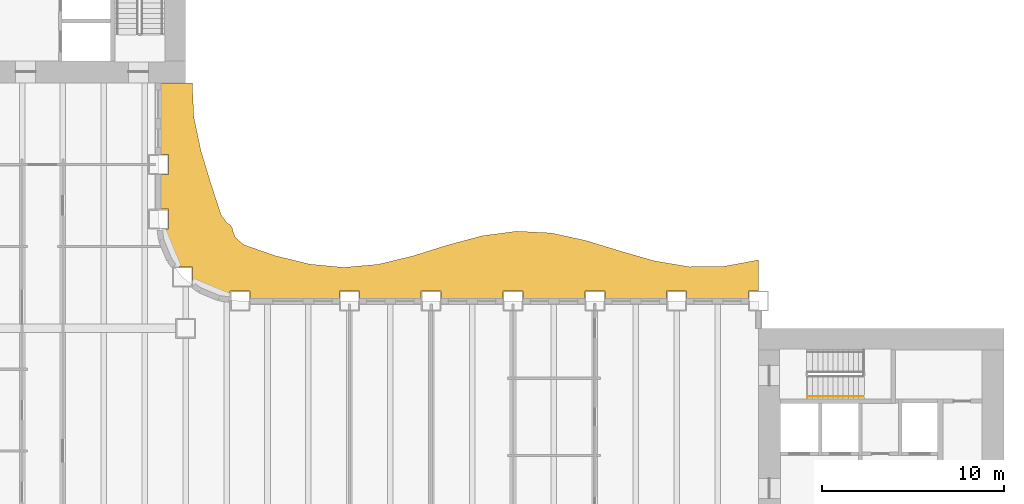
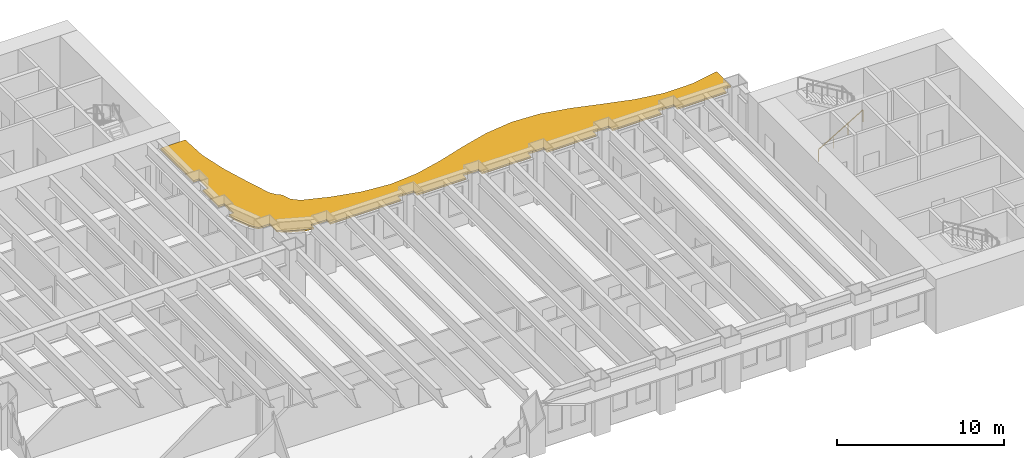
# One storey, part 13 of 15: 1 railing, 1 shading device.
"""IFC4 building model written with IfcOpenShell, lengths in metres."""

import ifcopenshell
import ifcopenshell.guid

model = None  # the IFC model being written
_history = None  # IfcOwnerHistory: only IFC2X3 demands one
_inside = {}  # id of a spatial element -> (the spatial element, [elements in it])
_under = {}  # id of a project, library or spatial element -> (it, [spatial elements below it])
_declared = {}  # id of a project -> (the project, [libraries it declares])
_typed = {}  # id of a type object -> (the type object, [elements of that type])
_made_of = {}  # id of a material, layer set ... -> (it, [elements and type objects made of it])


def new_model(schema):
    """Start an empty IFC model of exactly this schema.

    Asked for "IFC4X3", IfcOpenShell would pick the latest addendum, in which some entities
    have other attributes; the version numbers below select the first issue.
    IFC2X3 requires an IfcOwnerHistory on every rooted entity: one is made here for all.
    """
    global model, _history
    if schema == "IFC4X3":
        model = ifcopenshell.file(schema_version=(4, 3, 0, 0))
    else:
        model = ifcopenshell.file(schema=schema)
    _inside.clear()
    _under.clear()
    _declared.clear()
    _typed.clear()
    _made_of.clear()
    _history = None
    if model.schema == "IFC2X3":
        org = make("IfcOrganization", Name="unknown")
        user = make(
            "IfcPersonAndOrganization",
            ThePerson=make("IfcPerson", FamilyName="unknown"),
            TheOrganization=org,
        )
        app = make(
            "IfcApplication",
            ApplicationDeveloper=org,
            Version="unknown",
            ApplicationFullName="unknown",
            ApplicationIdentifier="unknown",
        )
        _history = make(
            "IfcOwnerHistory",
            OwningUser=user,
            OwningApplication=app,
            ChangeAction="ADDED",
            CreationDate=0,
        )
    return model


def make(cls, **values):
    """One entity of the class cls with the attributes given. An attribute that is None is left unset."""
    return model.create_entity(
        cls, **{name: value for name, value in values.items() if value is not None}
    )


def rooted(cls, **values):
    """An entity with a GlobalId (a new one), such as an element, a storey or a relation."""
    return make(cls, GlobalId=ifcopenshell.guid.new(), OwnerHistory=_history, **values)


def si_unit(unit_type, name, prefix=None):
    """IfcSIUnit, for example si_unit("LENGTHUNIT", "METRE", prefix="MILLI")."""
    return make("IfcSIUnit", UnitType=unit_type, Prefix=prefix, Name=name)


def assignment(units):
    """IfcUnitAssignment: the units of a project."""
    return None if units is None else make("IfcUnitAssignment", Units=units)


def point(xyz):
    """IfcCartesianPoint."""
    return None if xyz is None else make("IfcCartesianPoint", Coordinates=xyz)


def direction(xyz):
    """IfcDirection."""
    return None if xyz is None else make("IfcDirection", DirectionRatios=xyz)


def frame(location, z_axis=None, x_axis=None):
    """IfcAxis2Placement3D, a coordinate frame: its origin and axes. An axis left out is left unset."""
    return make(
        "IfcAxis2Placement3D",
        Location=point(location),
        Axis=direction(z_axis),
        RefDirection=direction(x_axis),
    )


def frame_2d(location, x_axis=None):
    """IfcAxis2Placement2D, a coordinate frame in the plane: its origin and x axis."""
    return make(
        "IfcAxis2Placement2D", Location=point(location), RefDirection=direction(x_axis)
    )


def origin():
    """The frame at (0, 0, 0) with its axes left unset."""
    return frame((0.0, 0.0, 0.0))


def origin_2d():
    """The frame at (0, 0) in the plane with its x axis left unset."""
    return frame_2d((0.0, 0.0))


def place(relative_to, where):
    """IfcLocalPlacement: puts the frame where relative to a parent placement (None: the world)."""
    return make(
        "IfcLocalPlacement", PlacementRelTo=relative_to, RelativePlacement=where
    )


def context(
    kind, dimensions, precision=None, world=None, true_north=None, identifier=None
):
    """IfcGeometricRepresentationContext, for example the 3D "Model" context."""
    return make(
        "IfcGeometricRepresentationContext",
        ContextIdentifier=identifier,
        ContextType=kind,
        CoordinateSpaceDimension=dimensions,
        Precision=precision,
        WorldCoordinateSystem=world,
        TrueNorth=true_north,
    )


def subcontext(parent, identifier, kind, view, scale=None):
    """IfcGeometricRepresentationSubContext, for example "Body" below "Model"."""
    return make(
        "IfcGeometricRepresentationSubContext",
        ContextIdentifier=identifier,
        ContextType=kind,
        ParentContext=parent,
        TargetScale=scale,
        TargetView=view,
    )


def project(units=None, contexts=None):
    """IfcProject with its units and contexts."""
    return rooted(
        "IfcProject",
        Name="project",
        RepresentationContexts=contexts,
        UnitsInContext=assignment(units),
    )


def spatial(cls, under=None, at=None, **own):
    """A site, building, storey or space (cls), placed at a placement, below another one or the project."""
    s = rooted(cls, ObjectPlacement=at, **own)
    if under is not None:
        _under.setdefault(under.id(), (under, []))[1].append(s)
    return s


def polyline(points):
    """IfcPolyline through the points."""
    return make("IfcPolyline", Points=[point(p) for p in points])


def profile(cls, at=None, kind="AREA", **sizes):
    """A parametric profile (cls). Its sizes go by their IFC names, for example OverallWidth=200.0."""
    return make(cls, ProfileType=kind, Position=at, **sizes)


def rectangle(**sizes):
    """IfcRectangleProfileDef."""
    return profile("IfcRectangleProfileDef", **sizes)


def outline(outer, holes=None, kind="AREA"):
    """IfcArbitraryClosedProfileDef: a profile drawn as a closed curve; with holes, ...WithVoids."""
    if holes is None:
        return make("IfcArbitraryClosedProfileDef", ProfileType=kind, OuterCurve=outer)
    return make(
        "IfcArbitraryProfileDefWithVoids",
        ProfileType=kind,
        OuterCurve=outer,
        InnerCurves=holes,
    )


def extrude(swept, where, along, depth):
    """IfcExtrudedAreaSolid: the profile swept, set in the frame where, extruded along a direction by depth."""
    return make(
        "IfcExtrudedAreaSolid",
        SweptArea=swept,
        Position=where,
        ExtrudedDirection=direction(along),
        Depth=depth,
    )


def shape(context_of_items, identifier, shape_type, items):
    """IfcShapeRepresentation: the items that make up one representation, for example the "Body"."""
    return make(
        "IfcShapeRepresentation",
        ContextOfItems=context_of_items,
        RepresentationIdentifier=identifier,
        RepresentationType=shape_type,
        Items=items,
    )


def material(Name=None, Category=None):
    """IfcMaterial."""
    return make("IfcMaterial", Name=Name, Category=Category)


def layer(
    of_material, thickness, ventilated=None, Name=None, Category=None, Priority=None
):
    """IfcMaterialLayer: one layer of a wall or slab, of a material (None: an air gap)."""
    return make(
        "IfcMaterialLayer",
        Material=of_material,
        LayerThickness=thickness,
        IsVentilated=ventilated,
        Name=Name,
        Category=Category,
        Priority=Priority,
    )


def layer_set(layers, Name=None):
    """IfcMaterialLayerSet."""
    return make("IfcMaterialLayerSet", MaterialLayers=layers, LayerSetName=Name)


def made_of(thing, what):
    """Note that an element or type object is made of a material, layer set ...; save() writes the relation."""
    if what is not None:
        _made_of.setdefault(what.id(), (what, []))[1].append(thing)
    return thing


def type_object(cls, material=None, **own):
    """A type object (cls), such as IfcWallType, which elements share."""
    return made_of(rooted(cls, **own), material)


def element(
    cls,
    number,
    at=None,
    inside=None,
    cuts=None,
    type_object=None,
    material=None,
    context=None,
    identifier="Body",
    shape_type=None,
    held_by="IfcProductDefinitionShape",
    body=None,
    shapes=None,
    **own,
):
    """One element of the class cls, such as IfcWall. Its Tag is "e" and its number.

    at: its placement. inside: the storey or other place that contains it. cuts: it is an
    opening in that element (IfcRelVoidsElement). A single representation is given by context,
    identifier, shape_type and body (its items); several are given by shapes. held_by: the class
    of the entity that holds the representations. save() writes the other relations.
    """
    e = rooted(cls, Tag="e%d" % number, ObjectPlacement=at, **own)
    if body is not None:
        shapes = [shape(context, identifier, shape_type, body)]
    if shapes is not None:
        e.Representation = make(held_by, Representations=shapes)
    if inside is not None:
        _inside.setdefault(inside.id(), (inside, []))[1].append(e)
    if cuts is not None:
        rooted(
            "IfcRelVoidsElement", RelatingBuildingElement=cuts, RelatedOpeningElement=e
        )
    if type_object is not None:
        _typed.setdefault(type_object.id(), (type_object, []))[1].append(e)
    return made_of(e, material)


def aggregate(whole, parts):
    """IfcRelAggregates: a whole, such as a stair, and the parts it consists of."""
    return rooted("IfcRelAggregates", RelatingObject=whole, RelatedObjects=parts)


def save(model, path):
    """Write the relations noted so far, then the file.

    IfcRelAggregates (storeys below a building ...), IfcRelContainedInSpatialStructure (elements
    in a storey), IfcRelDefinesByType, IfcRelAssociatesMaterial and IfcRelDeclares: one each for
    every whole, place, type object, material and project.
    """
    for whole, parts in _under.values():
        aggregate(whole, parts)
    for where, things in _inside.values():
        rooted(
            "IfcRelContainedInSpatialStructure",
            RelatedElements=things,
            RelatingStructure=where,
        )
    for kind, things in _typed.values():
        rooted("IfcRelDefinesByType", RelatedObjects=things, RelatingType=kind)
    for what, things in _made_of.values():
        rooted("IfcRelAssociatesMaterial", RelatedObjects=things, RelatingMaterial=what)
    for by, libraries in _declared.values():
        rooted("IfcRelDeclares", RelatingContext=by, RelatedDefinitions=libraries)
    model.write(path)


model = new_model("IFC4")

# Units and contexts
model_context = context("Model", 3, precision=1e-05, world=origin(), true_north=direction((0.0, 1.0)))
body_context = subcontext(model_context, "Body", "Model", "MODEL_VIEW")
ifc_project = project(units=[si_unit("LENGTHUNIT", "METRE"), si_unit("AREAUNIT", "SQUARE_METRE"), si_unit("VOLUMEUNIT", "CUBIC_METRE"), si_unit("PLANEANGLEUNIT", "RADIAN"), si_unit("MASSUNIT", "GRAM", prefix="KILO")], contexts=[model_context])

# Site, building, storey
site_placement = place(None, origin())
site = spatial("IfcSite", under=ifc_project, at=site_placement, CompositionType="ELEMENT")
building_placement = place(site_placement, origin())
building = spatial("IfcBuilding", under=site, at=building_placement, Name="Sennacour Bend Tower", CompositionType="ELEMENT")
storey_placement = place(building_placement, frame((0.0, 0.0, 61.0)))
storey = spatial("IfcBuildingStorey", under=building, at=storey_placement, Name="L13", CompositionType="ELEMENT", Elevation=61.0)

# Railing
ifc_material_1 = material(Name="Stainless steel", Category="steel")
railing_type = type_object("IfcRailingType", Name="RL-HANDRAIL-900", PredefinedType="HANDRAIL", material=ifc_material_1)
railing_placement = place(storey_placement, frame((56.699951171875, 18.75, 0.166748046875)))
element("IfcRailing", 1, at=railing_placement, inside=storey, type_object=railing_type, Name="L13 SA2 stair handrail 1", PredefinedType="HANDRAIL", context=body_context, shape_type="SweptSolid", body=[
    extrude(rectangle(XDim=0.048095703125, YDim=0.048095703125, at=origin_2d()), frame((0.0, 0.0, 0.8759765625), z_axis=(0.859308565015, 0.0, 0.511457515432), x_axis=(0.0, 1.0, 0.0)), (0.0, 0.0, 1.0), 3.58447265625),
    extrude(rectangle(XDim=0.0419921875, YDim=0.0419921875, at=origin_2d()), origin(), (0.0, 0.0, 1.0), 0.851806640625),
    extrude(rectangle(XDim=0.0419921875, YDim=0.0419921875, at=origin_2d()), frame((1.026611328125, 0.0, 0.611083984375)), (0.0, 0.0, 1.0), 0.851806640625),
    extrude(rectangle(XDim=0.0419921875, YDim=0.0419921875, at=origin_2d()), frame((2.053466796875, 0.0, 1.22216796875)), (0.0, 0.0, 1.0), 0.851806640625),
    extrude(rectangle(XDim=0.0419921875, YDim=0.0419921875, at=origin_2d()), frame((3.080078125, 0.0, 1.833251953125)), (0.0, 0.0, 1.0), 0.851806640625),
])

# Shading device
ifc_material_2 = material(Name="Bronze anodised aluminium", Category="aluminium")
ifc_layer = layer(ifc_material_2, 0.1201171875, Name="Bronze anodised aluminium", Category="aluminium")
ifc_layer_set = layer_set([ifc_layer], Name="Bronze anodised aluminium")
shading_device_type = type_object("IfcShadingDeviceType", Name="SUNSHADE BAND WAVE", PredefinedType="USERDEFINED", material=ifc_layer_set)
shading_device_placement = place(storey_placement, frame((0.0, 0.0, 3.02392578125)))
element("IfcShadingDevice", 2, at=shading_device_placement, inside=storey, type_object=shading_device_type, Name="Sunshade band L13 concave faces", ObjectType="SUNSHADE", PredefinedType="USERDEFINED", context=body_context, shape_type="SweptSolid", body=[
    extrude(outline(polyline([(53.449951171875, 24.14990234375), (50.050048828125, 24.14990234375), (50.050048828125, 24.550048828125), (48.949951171875, 24.550048828125), (48.949951171875, 24.14990234375), (45.550048828125, 24.14990234375), (45.550048828125, 24.550048828125), (44.449951171875, 24.550048828125), (44.449951171875, 24.14990234375), (41.050048828125, 24.14990234375), (41.050048828125, 24.550048828125), (39.949951171875, 24.550048828125), (39.949951171875, 24.14990234375), (36.550048828125, 24.14990234375), (36.550048828125, 24.550048828125), (35.449951171875, 24.550048828125), (35.449951171875, 24.14990234375), (32.050048828125, 24.14990234375), (32.050048828125, 24.550048828125), (30.949951171875, 24.550048828125), (30.949951171875, 24.14990234375), (26.050048828125, 24.14990234375), (26.050048828125, 24.550048828125), (24.949951171875, 24.550048828125), (24.949951171875, 24.2236328125), (24.37451171875, 24.299560546875), (23.32568359375, 24.73388671875), (22.8681640625, 25.0849609375), (22.8681640625, 25.8681640625), (22.0849609375, 25.8681640625), (21.73388671875, 26.32568359375), (21.299560546875, 27.37451171875), (21.2236328125, 27.949951171875), (21.550048828125, 27.949951171875), (21.550048828125, 29.050048828125), (21.14990234375, 29.050048828125), (21.14990234375, 30.949951171875), (21.550048828125, 30.949951171875), (21.550048828125, 32.050048828125), (21.14990234375, 32.050048828125), (21.14990234375, 36.0), (22.861572265625, 36.0), (22.946533203125, 34.125), (23.34228515625, 32.25), (23.912353515625, 30.375), (24.4609375, 28.726806640625), (24.765380859375, 28.302978515625), (24.95361328125, 28.1845703125), (25.048828125, 28.048828125), (25.10986328125, 27.82421875), (25.231201171875, 27.496337890625), (25.702880859375, 27.094970703125), (27.39990234375, 26.501953125), (29.300048828125, 26.03173828125), (31.199951171875, 25.85009765625), (33.10009765625, 26.02099609375), (35.0, 26.484130859375), (36.89990234375, 27.076416015625), (38.800048828125, 27.5888671875), (40.699951171875, 27.8408203125), (42.60009765625, 27.7431640625), (44.5, 27.33056640625), (46.39990234375, 26.74853515625), (48.300048828125, 26.202392578125), (50.199951171875, 25.884521484375), (52.10009765625, 25.906982421875), (54.0, 26.26220703125), (54.0, 24.550048828125), (53.449951171875, 24.550048828125), (53.449951171875, 24.14990234375)])), origin(), (0.0, 0.0, 1.0), 0.1201171875),
])

save(model, "model.ifc")
